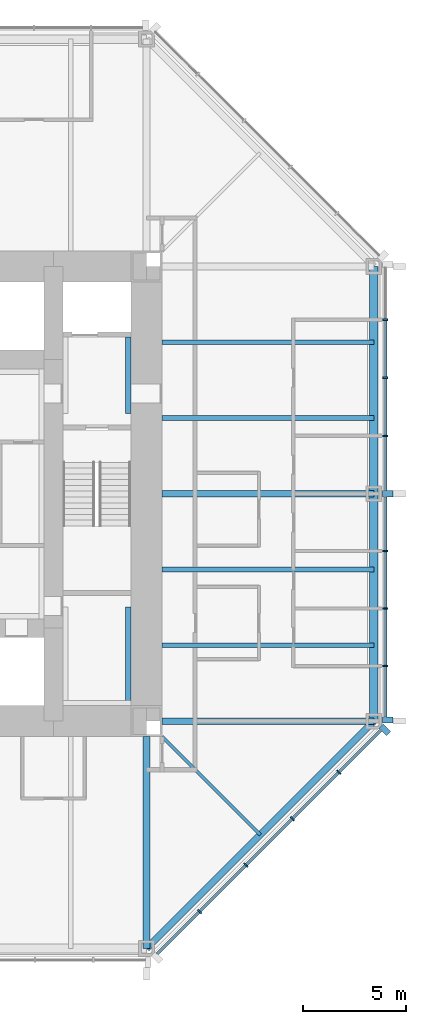
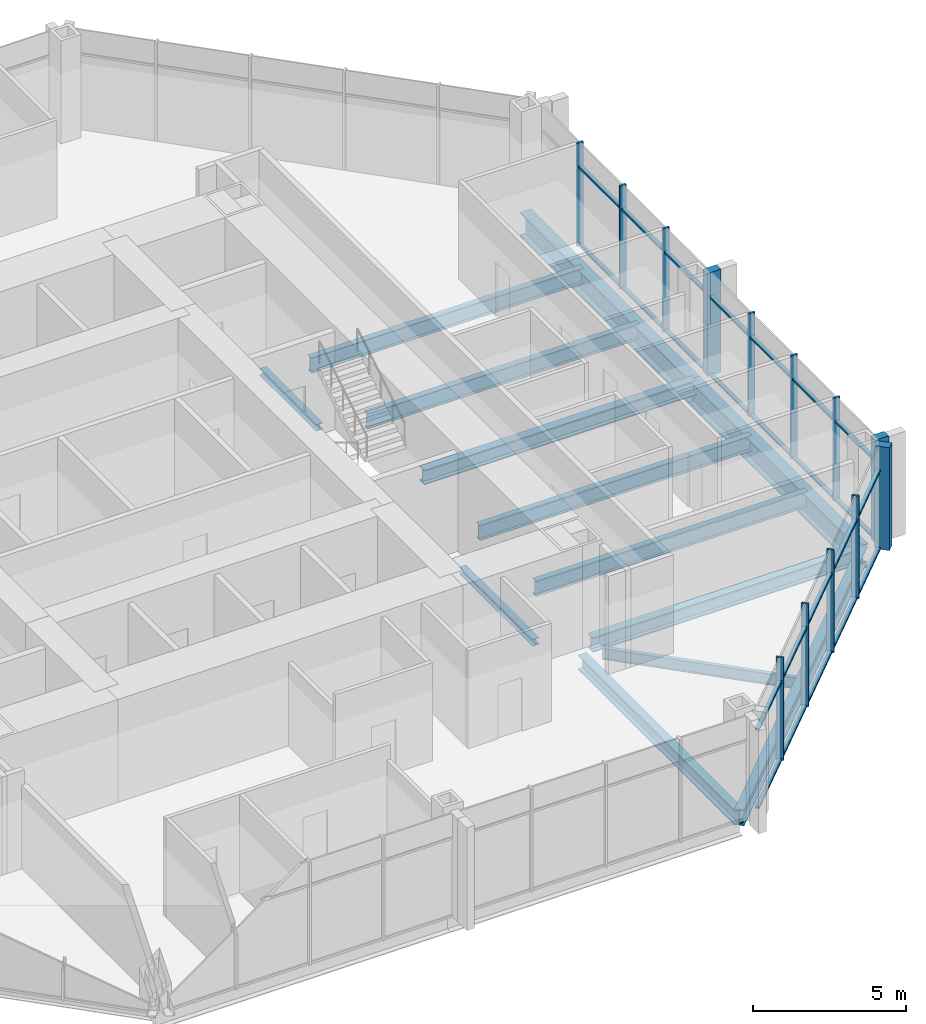
# One storey, part 4 of 12: 37 members, 13 beams, 2 elements without a shape of their own.
"""IFC4 building model written with IfcOpenShell, lengths in metres."""

from ifc_helpers import new_model, si_unit, direction, frame, origin, origin_2d, place, context, subcontext, project, spatial, rectangle, i_section, extrude, material, material_profile, profile_set, type_object, element, aggregate, save


model = new_model("IFC4")

# Units and contexts
model_context = context("Model", 3, precision=1e-05, world=origin(), true_north=direction((0.0, 1.0)))
body_context = subcontext(model_context, "Body", "Model", "MODEL_VIEW")
ifc_project = project(units=[si_unit("LENGTHUNIT", "METRE"), si_unit("AREAUNIT", "SQUARE_METRE"), si_unit("VOLUMEUNIT", "CUBIC_METRE"), si_unit("PLANEANGLEUNIT", "RADIAN"), si_unit("MASSUNIT", "GRAM", prefix="KILO")], contexts=[model_context])

# Site, building, storey
site_placement = place(None, origin())
site = spatial("IfcSite", under=ifc_project, at=site_placement, CompositionType="ELEMENT")
building_placement = place(site_placement, origin())
building = spatial("IfcBuilding", under=site, at=building_placement, Name="Trevanion Tower", CompositionType="ELEMENT")
storey_placement = place(building_placement, frame((0.0, 0.0, 121.300048828125)))
storey = spatial("IfcBuildingStorey", under=building, at=storey_placement, Name="L28", CompositionType="ELEMENT", Elevation=121.300048828125)

# Beams
ifc_material_1 = material(Name="Steel ASTM A992 Grade 50", Category="steel")
ifc_material_profile_1 = material_profile(ifc_material_1, i_section(OverallWidth=0.22900390625, OverallDepth=0.612060546875, WebThickness=0.011962890625, FlangeThickness=0.01953125, at=origin_2d()), Name="W24X84")
ifc_profile_set_1 = profile_set([ifc_material_profile_1], Name="Steel ASTM A992 Grade 50")
beam_type_1 = type_object("IfcBeamType", Name="B7 W24X84", PredefinedType="BEAM", material=ifc_profile_set_1)
for number, where, z_axis, x_axis, name in (
    (1, (11.75, -7.333251953125, -0.49609375), (1.0, 0.0, 0.0), (0.0, 1.0, 0.0), "B7 L28"),
    (2, (11.75, -3.666748046875, -0.49609375), (1.0, 0.0, 0.0), (0.0, 1.0, 0.0), "B7 L28"),
    (3, (11.75, 3.666748046875, -0.49609375), (1.0, 0.0, 0.0), (0.0, 1.0, 0.0), "B7 L28"),
    (4, (11.75, 7.333251953125, -0.49609375), (1.0, 0.0, 0.0), (0.0, 1.0, 0.0), "B7 L28"),
):
    element("IfcBeam", number, at=place(storey_placement, frame(where, z_axis=z_axis, x_axis=x_axis)), inside=storey, type_object=beam_type_1, Name=name, PredefinedType="BEAM", context=body_context, shape_type="SweptSolid", body=[
        extrude(i_section(OverallWidth=0.22900390625, OverallDepth=0.612060546875, WebThickness=0.011962890625, FlangeThickness=0.01953125, at=origin_2d()), origin(), (0.0, 0.0, 1.0), 10.25),
    ])
ifc_material_2 = material(Name="Steel ASTM A992 Grade 50", Category="steel")
ifc_material_profile_2 = material_profile(ifc_material_2, i_section(OverallWidth=0.15234375, OverallDepth=0.449462890625, WebThickness=0.007568359375, FlangeThickness=0.0107421875, at=origin_2d()), Name="W18X35")
ifc_profile_set_2 = profile_set([ifc_material_profile_2], Name="Steel ASTM A992 Grade 50")
beam_type_2 = type_object("IfcBeamType", Name="B8 W18X35", PredefinedType="BEAM", material=ifc_profile_set_2)
beam_1_placement = place(storey_placement, frame((11.75, -11.75, -0.414794921875), z_axis=(0.707106781187, -0.707106781187, 0.0), x_axis=(0.707106781187, 0.707106781187, 0.0)))
element("IfcBeam", 5, at=beam_1_placement, inside=storey, type_object=beam_type_2, Name="B8 L28", PredefinedType="BEAM", context=body_context, shape_type="SweptSolid", body=[
    extrude(i_section(OverallWidth=0.15234375, OverallDepth=0.449462890625, WebThickness=0.007568359375, FlangeThickness=0.0107421875, at=origin_2d()), origin(), (0.0, 0.0, 1.0), 6.717529296875),
])

# Curtain wall, members
ifc_material_3 = material(Name="Aluminium and glass", Category="aluminium")
curtain_wall_type = type_object("IfcCurtainWallType", Name="CW2 curtain wall", PredefinedType="USERDEFINED", material=ifc_material_3)
curtain_wall_1_placement = place(storey_placement, origin())
curtain_wall_1 = element("IfcCurtainWall", 6, at=curtain_wall_1_placement, inside=storey, type_object=curtain_wall_type, Name="CW2 L28 0", ObjectType="UNITISED CURTAIN WALL", PredefinedType="USERDEFINED")
ifc_material_4 = material(Name="Aluminium extrusion, anodised bronze", Category="aluminium")
ifc_material_profile_3 = material_profile(ifc_material_4, rectangle(XDim=0.074951171875, YDim=0.25, at=origin_2d()), Name="CW2 mullion")
ifc_profile_set_3 = profile_set([ifc_material_profile_3], Name="Aluminium extrusion, anodised bronze")
member_type_1 = type_object("IfcMemberType", Name="CW2 mullion", PredefinedType="MULLION", material=ifc_profile_set_3)
member_1_placement = place(storey_placement, frame((22.550048828125, -8.323486328125, -0.18994140625), z_axis=(0.0, 0.0, 1.0), x_axis=(0.0, 1.0, 0.0)))
member_1 = element("IfcMember", 7, at=member_1_placement, type_object=member_type_1, Name="CW2 mullion 2", PredefinedType="MULLION", context=body_context, shape_type="SweptSolid", body=[
    extrude(rectangle(XDim=0.074951171875, YDim=0.25, at=origin_2d()), origin(), (0.0, 0.0, 1.0), 4.099853515625),
])
member_2_placement = place(storey_placement, frame((22.550048828125, -5.548828125, -0.18994140625), z_axis=(0.0, 0.0, 1.0), x_axis=(0.0, 1.0, 0.0)))
member_2 = element("IfcMember", 8, at=member_2_placement, type_object=member_type_1, Name="CW2 mullion 3", PredefinedType="MULLION", context=body_context, shape_type="SweptSolid", body=[
    extrude(rectangle(XDim=0.074951171875, YDim=0.25, at=origin_2d()), origin(), (0.0, 0.0, 1.0), 4.099853515625),
])
member_3_placement = place(storey_placement, frame((22.550048828125, -2.7744140625, -0.18994140625), z_axis=(0.0, 0.0, 1.0), x_axis=(0.0, 1.0, 0.0)))
member_3 = element("IfcMember", 9, at=member_3_placement, type_object=member_type_1, Name="CW2 mullion 4", PredefinedType="MULLION", context=body_context, shape_type="SweptSolid", body=[
    extrude(rectangle(XDim=0.074951171875, YDim=0.25, at=origin_2d()), origin(), (0.0, 0.0, 1.0), 4.099853515625),
])
member_4_placement = place(storey_placement, frame((22.550048828125, 2.806884765625, -0.18994140625), z_axis=(0.0, 0.0, 1.0), x_axis=(0.0, 1.0, 0.0)))
member_4 = element("IfcMember", 10, at=member_4_placement, type_object=member_type_1, Name="CW2 mullion 6", PredefinedType="MULLION", context=body_context, shape_type="SweptSolid", body=[
    extrude(rectangle(XDim=0.074951171875, YDim=0.25, at=origin_2d()), origin(), (0.0, 0.0, 1.0), 4.099853515625),
])
member_5_placement = place(storey_placement, frame((22.550048828125, 5.614013671875, -0.18994140625), z_axis=(0.0, 0.0, 1.0), x_axis=(0.0, 1.0, 0.0)))
member_5 = element("IfcMember", 11, at=member_5_placement, type_object=member_type_1, Name="CW2 mullion 7", PredefinedType="MULLION", context=body_context, shape_type="SweptSolid", body=[
    extrude(rectangle(XDim=0.074951171875, YDim=0.25, at=origin_2d()), origin(), (0.0, 0.0, 1.0), 4.099853515625),
])
member_6_placement = place(storey_placement, frame((22.550048828125, 8.4208984375, -0.18994140625), z_axis=(0.0, 0.0, 1.0), x_axis=(0.0, 1.0, 0.0)))
member_6 = element("IfcMember", 12, at=member_6_placement, type_object=member_type_1, Name="CW2 mullion 8", PredefinedType="MULLION", context=body_context, shape_type="SweptSolid", body=[
    extrude(rectangle(XDim=0.074951171875, YDim=0.25, at=origin_2d()), origin(), (0.0, 0.0, 1.0), 4.099853515625),
])

curtain_wall_2_placement = place(storey_placement, origin())
curtain_wall_2 = element("IfcCurtainWall", 13, at=curtain_wall_2_placement, inside=storey, type_object=curtain_wall_type, Name="CW2 L28 7", ObjectType="UNITISED CURTAIN WALL", PredefinedType="USERDEFINED")
member_7_placement = place(storey_placement, frame((13.56591796875, -20.2119140625, -0.18994140625), z_axis=(0.0, 0.0, 1.0), x_axis=(0.707106781187, 0.707106781187, 0.0)))
member_7 = element("IfcMember", 14, at=member_7_placement, type_object=member_type_1, Name="CW2 mullion 2", PredefinedType="MULLION", context=body_context, shape_type="SweptSolid", body=[
    extrude(rectangle(XDim=0.074951171875, YDim=0.25, at=origin_2d()), origin(), (0.0, 0.0, 1.0), 4.099853515625),
])
member_8_placement = place(storey_placement, frame((15.811767578125, -17.966064453125, -0.18994140625), z_axis=(0.0, 0.0, 1.0), x_axis=(0.707106781187, 0.707106781187, 0.0)))
member_8 = element("IfcMember", 15, at=member_8_placement, type_object=member_type_1, Name="CW2 mullion 3", PredefinedType="MULLION", context=body_context, shape_type="SweptSolid", body=[
    extrude(rectangle(XDim=0.074951171875, YDim=0.25, at=origin_2d()), origin(), (0.0, 0.0, 1.0), 4.099853515625),
])
member_9_placement = place(storey_placement, frame((18.057861328125, -15.719970703125, -0.18994140625), z_axis=(0.0, 0.0, 1.0), x_axis=(0.707106781187, 0.707106781187, 0.0)))
member_9 = element("IfcMember", 16, at=member_9_placement, type_object=member_type_1, Name="CW2 mullion 4", PredefinedType="MULLION", context=body_context, shape_type="SweptSolid", body=[
    extrude(rectangle(XDim=0.074951171875, YDim=0.25, at=origin_2d()), origin(), (0.0, 0.0, 1.0), 4.099853515625),
])
member_10_placement = place(storey_placement, frame((20.303955078125, -13.473876953125, -0.18994140625), z_axis=(0.0, 0.0, 1.0), x_axis=(0.707106781187, 0.707106781187, 0.0)))
member_10 = element("IfcMember", 17, at=member_10_placement, type_object=member_type_1, Name="CW2 mullion 5", PredefinedType="MULLION", context=body_context, shape_type="SweptSolid", body=[
    extrude(rectangle(XDim=0.074951171875, YDim=0.25, at=origin_2d()), origin(), (0.0, 0.0, 1.0), 4.099853515625),
])

# Member
ifc_material_5 = material(Name="Aluminium extrusion, anodised bronze", Category="aluminium")
ifc_material_profile_4 = material_profile(ifc_material_5, rectangle(XDim=0.300048828125, YDim=0.5, at=origin_2d()), Name="CW2 pier mullion")
ifc_profile_set_4 = profile_set([ifc_material_profile_4], Name="Aluminium extrusion, anodised bronze")
member_type_2 = type_object("IfcMemberType", Name="CW2 pier mullion", PredefinedType="MULLION", material=ifc_profile_set_4)
member_11_placement = place(storey_placement, frame((22.675048828125, -10.94775390625, -0.18994140625), z_axis=(0.0, 0.0, 1.0), x_axis=(0.0, 1.0, 0.0)))
member_11 = element("IfcMember", 18, at=member_11_placement, type_object=member_type_2, Name="CW2 pier mullion 1", PredefinedType="MULLION", context=body_context, shape_type="SweptSolid", body=[
    extrude(rectangle(XDim=0.300048828125, YDim=0.5, at=origin_2d()), origin(), (0.0, 0.0, 1.0), 4.099853515625),
])

member_12_placement = place(storey_placement, frame((22.675048828125, 0.0, -0.18994140625), z_axis=(0.0, 0.0, 1.0), x_axis=(0.0, 1.0, 0.0)))
member_12 = element("IfcMember", 19, at=member_12_placement, type_object=member_type_2, Name="CW2 pier mullion 5", PredefinedType="MULLION", context=body_context, shape_type="SweptSolid", body=[
    extrude(rectangle(XDim=0.300048828125, YDim=0.5, at=origin_2d()), origin(), (0.0, 0.0, 1.0), 4.099853515625),
])

member_13_placement = place(storey_placement, frame((22.5322265625, -11.42236328125, -0.18994140625), z_axis=(0.0, 0.0, 1.0), x_axis=(0.707106781187, 0.707106781187, 0.0)))
member_13 = element("IfcMember", 20, at=member_13_placement, type_object=member_type_2, Name="CW2 pier mullion 6", PredefinedType="MULLION", context=body_context, shape_type="SweptSolid", body=[
    extrude(rectangle(XDim=0.300048828125, YDim=0.5, at=origin_2d()), origin(), (0.0, 0.0, 1.0), 4.099853515625),
])

ifc_material_6 = material(Name="Aluminium extrusion, anodised bronze", Category="aluminium")
ifc_material_profile_5 = material_profile(ifc_material_6, rectangle(XDim=0.14990234375, YDim=0.074951171875, at=origin_2d()), Name="CW2 transom")
ifc_profile_set_5 = profile_set([ifc_material_profile_5], Name="Aluminium extrusion, anodised bronze")
member_type_3 = type_object("IfcMemberType", Name="CW2 transom", PredefinedType="USERDEFINED", material=ifc_profile_set_5)
member_14_placement = place(storey_placement, frame((22.550048828125, -10.7978515625, -0.152587890625), z_axis=(0.0, 1.0, 0.0), x_axis=(-1.0, 0.0, 0.0)))
member_14 = element("IfcMember", 21, at=member_14_placement, type_object=member_type_3, Name="CW2 transom 1.1", ObjectType="TRANSOM", PredefinedType="USERDEFINED", context=body_context, shape_type="SweptSolid", body=[
    extrude(rectangle(XDim=0.14990234375, YDim=0.074951171875, at=origin_2d()), origin(), (0.0, 0.0, 1.0), 2.43701171875),
])

member_15_placement = place(storey_placement, frame((22.550048828125, -10.7978515625, 2.9599609375), z_axis=(0.0, 1.0, 0.0), x_axis=(-1.0, 0.0, 0.0)))
member_15 = element("IfcMember", 22, at=member_15_placement, type_object=member_type_3, Name="CW2 transom 1.2", ObjectType="TRANSOM", PredefinedType="USERDEFINED", context=body_context, shape_type="SweptSolid", body=[
    extrude(rectangle(XDim=0.14990234375, YDim=0.074951171875, at=origin_2d()), origin(), (0.0, 0.0, 1.0), 2.43701171875),
])

member_16_placement = place(storey_placement, frame((22.550048828125, -8.285888671875, -0.152587890625), z_axis=(0.0, 1.0, 0.0), x_axis=(-1.0, 0.0, 0.0)))
member_16 = element("IfcMember", 23, at=member_16_placement, type_object=member_type_3, Name="CW2 transom 2.1", ObjectType="TRANSOM", PredefinedType="USERDEFINED", context=body_context, shape_type="SweptSolid", body=[
    extrude(rectangle(XDim=0.14990234375, YDim=0.074951171875, at=origin_2d()), origin(), (0.0, 0.0, 1.0), 2.699462890625),
])

member_17_placement = place(storey_placement, frame((22.550048828125, -8.285888671875, 2.9599609375), z_axis=(0.0, 1.0, 0.0), x_axis=(-1.0, 0.0, 0.0)))
member_17 = element("IfcMember", 24, at=member_17_placement, type_object=member_type_3, Name="CW2 transom 2.2", ObjectType="TRANSOM", PredefinedType="USERDEFINED", context=body_context, shape_type="SweptSolid", body=[
    extrude(rectangle(XDim=0.14990234375, YDim=0.074951171875, at=origin_2d()), origin(), (0.0, 0.0, 1.0), 2.699462890625),
])

member_18_placement = place(storey_placement, frame((22.550048828125, -5.511474609375, -0.152587890625), z_axis=(0.0, 1.0, 0.0), x_axis=(-1.0, 0.0, 0.0)))
member_18 = element("IfcMember", 25, at=member_18_placement, type_object=member_type_3, Name="CW2 transom 3.1", ObjectType="TRANSOM", PredefinedType="USERDEFINED", context=body_context, shape_type="SweptSolid", body=[
    extrude(rectangle(XDim=0.14990234375, YDim=0.074951171875, at=origin_2d()), origin(), (0.0, 0.0, 1.0), 2.699462890625),
])

member_19_placement = place(storey_placement, frame((22.550048828125, -5.511474609375, 2.9599609375), z_axis=(0.0, 1.0, 0.0), x_axis=(-1.0, 0.0, 0.0)))
member_19 = element("IfcMember", 26, at=member_19_placement, type_object=member_type_3, Name="CW2 transom 3.2", ObjectType="TRANSOM", PredefinedType="USERDEFINED", context=body_context, shape_type="SweptSolid", body=[
    extrude(rectangle(XDim=0.14990234375, YDim=0.074951171875, at=origin_2d()), origin(), (0.0, 0.0, 1.0), 2.699462890625),
])

member_20_placement = place(storey_placement, frame((22.550048828125, -2.737060546875, -0.152587890625), z_axis=(0.0, 1.0, 0.0), x_axis=(-1.0, 0.0, 0.0)))
member_20 = element("IfcMember", 27, at=member_20_placement, type_object=member_type_3, Name="CW2 transom 4.1", ObjectType="TRANSOM", PredefinedType="USERDEFINED", context=body_context, shape_type="SweptSolid", body=[
    extrude(rectangle(XDim=0.14990234375, YDim=0.074951171875, at=origin_2d()), origin(), (0.0, 0.0, 1.0), 2.587158203125),
])

member_21_placement = place(storey_placement, frame((22.550048828125, -2.737060546875, 2.9599609375), z_axis=(0.0, 1.0, 0.0), x_axis=(-1.0, 0.0, 0.0)))
member_21 = element("IfcMember", 28, at=member_21_placement, type_object=member_type_3, Name="CW2 transom 4.2", ObjectType="TRANSOM", PredefinedType="USERDEFINED", context=body_context, shape_type="SweptSolid", body=[
    extrude(rectangle(XDim=0.14990234375, YDim=0.074951171875, at=origin_2d()), origin(), (0.0, 0.0, 1.0), 2.587158203125),
])

member_22_placement = place(storey_placement, frame((22.550048828125, 0.14990234375, -0.152587890625), z_axis=(0.0, 1.0, 0.0), x_axis=(-1.0, 0.0, 0.0)))
member_22 = element("IfcMember", 29, at=member_22_placement, type_object=member_type_3, Name="CW2 transom 5.1", ObjectType="TRANSOM", PredefinedType="USERDEFINED", context=body_context, shape_type="SweptSolid", body=[
    extrude(rectangle(XDim=0.14990234375, YDim=0.074951171875, at=origin_2d()), origin(), (0.0, 0.0, 1.0), 2.619384765625),
])

member_23_placement = place(storey_placement, frame((22.550048828125, 0.14990234375, 2.9599609375), z_axis=(0.0, 1.0, 0.0), x_axis=(-1.0, 0.0, 0.0)))
member_23 = element("IfcMember", 30, at=member_23_placement, type_object=member_type_3, Name="CW2 transom 5.2", ObjectType="TRANSOM", PredefinedType="USERDEFINED", context=body_context, shape_type="SweptSolid", body=[
    extrude(rectangle(XDim=0.14990234375, YDim=0.074951171875, at=origin_2d()), origin(), (0.0, 0.0, 1.0), 2.619384765625),
])

member_24_placement = place(storey_placement, frame((22.550048828125, 2.844482421875, -0.152587890625), z_axis=(0.0, 1.0, 0.0), x_axis=(-1.0, 0.0, 0.0)))
member_24 = element("IfcMember", 31, at=member_24_placement, type_object=member_type_3, Name="CW2 transom 6.1", ObjectType="TRANSOM", PredefinedType="USERDEFINED", context=body_context, shape_type="SweptSolid", body=[
    extrude(rectangle(XDim=0.14990234375, YDim=0.074951171875, at=origin_2d()), origin(), (0.0, 0.0, 1.0), 2.73193359375),
])

member_25_placement = place(storey_placement, frame((22.550048828125, 2.844482421875, 2.9599609375), z_axis=(0.0, 1.0, 0.0), x_axis=(-1.0, 0.0, 0.0)))
member_25 = element("IfcMember", 32, at=member_25_placement, type_object=member_type_3, Name="CW2 transom 6.2", ObjectType="TRANSOM", PredefinedType="USERDEFINED", context=body_context, shape_type="SweptSolid", body=[
    extrude(rectangle(XDim=0.14990234375, YDim=0.074951171875, at=origin_2d()), origin(), (0.0, 0.0, 1.0), 2.73193359375),
])

member_26_placement = place(storey_placement, frame((22.550048828125, 5.6513671875, -0.152587890625), z_axis=(0.0, 1.0, 0.0), x_axis=(-1.0, 0.0, 0.0)))
member_26 = element("IfcMember", 33, at=member_26_placement, type_object=member_type_3, Name="CW2 transom 7.1", ObjectType="TRANSOM", PredefinedType="USERDEFINED", context=body_context, shape_type="SweptSolid", body=[
    extrude(rectangle(XDim=0.14990234375, YDim=0.074951171875, at=origin_2d()), origin(), (0.0, 0.0, 1.0), 2.73193359375),
])

member_27_placement = place(storey_placement, frame((22.550048828125, 5.6513671875, 2.9599609375), z_axis=(0.0, 1.0, 0.0), x_axis=(-1.0, 0.0, 0.0)))
member_27 = element("IfcMember", 34, at=member_27_placement, type_object=member_type_3, Name="CW2 transom 7.2", ObjectType="TRANSOM", PredefinedType="USERDEFINED", context=body_context, shape_type="SweptSolid", body=[
    extrude(rectangle(XDim=0.14990234375, YDim=0.074951171875, at=origin_2d()), origin(), (0.0, 0.0, 1.0), 2.73193359375),
])

aggregate(curtain_wall_1, [member_11, member_1, member_2, member_3, member_12, member_4, member_5, member_6, member_14, member_15, member_16, member_17, member_18, member_19, member_20, member_21, member_22, member_23, member_24, member_25, member_26, member_27])

member_28_placement = place(storey_placement, frame((11.531982421875, -22.245849609375, -0.152587890625), z_axis=(0.707106781187, 0.707106781187, 0.0), x_axis=(-0.707106781187, 0.707106781187, 0.0)))
member_28 = element("IfcMember", 35, at=member_28_placement, type_object=member_type_3, Name="CW2 transom 1.1", ObjectType="TRANSOM", PredefinedType="USERDEFINED", context=body_context, shape_type="SweptSolid", body=[
    extrude(rectangle(XDim=0.14990234375, YDim=0.074951171875, at=origin_2d()), origin(), (0.0, 0.0, 1.0), 2.8388671875),
])

member_29_placement = place(storey_placement, frame((11.531982421875, -22.245849609375, 2.9599609375), z_axis=(0.707106781187, 0.707106781187, 0.0), x_axis=(-0.707106781187, 0.707106781187, 0.0)))
member_29 = element("IfcMember", 36, at=member_29_placement, type_object=member_type_3, Name="CW2 transom 1.2", ObjectType="TRANSOM", PredefinedType="USERDEFINED", context=body_context, shape_type="SweptSolid", body=[
    extrude(rectangle(XDim=0.14990234375, YDim=0.074951171875, at=origin_2d()), origin(), (0.0, 0.0, 1.0), 2.8388671875),
])

member_30_placement = place(storey_placement, frame((13.59228515625, -20.185546875, -0.152587890625), z_axis=(0.707106781187, 0.707106781187, 0.0), x_axis=(-0.707106781187, 0.707106781187, 0.0)))
member_30 = element("IfcMember", 37, at=member_30_placement, type_object=member_type_3, Name="CW2 transom 2.1", ObjectType="TRANSOM", PredefinedType="USERDEFINED", context=body_context, shape_type="SweptSolid", body=[
    extrude(rectangle(XDim=0.14990234375, YDim=0.074951171875, at=origin_2d()), origin(), (0.0, 0.0, 1.0), 3.1015625),
])

member_31_placement = place(storey_placement, frame((13.59228515625, -20.185546875, 2.9599609375), z_axis=(0.707106781187, 0.707106781187, 0.0), x_axis=(-0.707106781187, 0.707106781187, 0.0)))
member_31 = element("IfcMember", 38, at=member_31_placement, type_object=member_type_3, Name="CW2 transom 2.2", ObjectType="TRANSOM", PredefinedType="USERDEFINED", context=body_context, shape_type="SweptSolid", body=[
    extrude(rectangle(XDim=0.14990234375, YDim=0.074951171875, at=origin_2d()), origin(), (0.0, 0.0, 1.0), 3.1015625),
])

member_32_placement = place(storey_placement, frame((15.83837890625, -17.939453125, -0.152587890625), z_axis=(0.707106781187, 0.707106781187, 0.0), x_axis=(-0.707106781187, 0.707106781187, 0.0)))
member_32 = element("IfcMember", 39, at=member_32_placement, type_object=member_type_3, Name="CW2 transom 3.1", ObjectType="TRANSOM", PredefinedType="USERDEFINED", context=body_context, shape_type="SweptSolid", body=[
    extrude(rectangle(XDim=0.14990234375, YDim=0.074951171875, at=origin_2d()), origin(), (0.0, 0.0, 1.0), 3.1015625),
])

member_33_placement = place(storey_placement, frame((15.83837890625, -17.939453125, 2.9599609375), z_axis=(0.707106781187, 0.707106781187, 0.0), x_axis=(-0.707106781187, 0.707106781187, 0.0)))
member_33 = element("IfcMember", 40, at=member_33_placement, type_object=member_type_3, Name="CW2 transom 3.2", ObjectType="TRANSOM", PredefinedType="USERDEFINED", context=body_context, shape_type="SweptSolid", body=[
    extrude(rectangle(XDim=0.14990234375, YDim=0.074951171875, at=origin_2d()), origin(), (0.0, 0.0, 1.0), 3.1015625),
])

member_34_placement = place(storey_placement, frame((18.08447265625, -15.693359375, -0.152587890625), z_axis=(0.707106781187, 0.707106781187, 0.0), x_axis=(-0.707106781187, 0.707106781187, 0.0)))
member_34 = element("IfcMember", 41, at=member_34_placement, type_object=member_type_3, Name="CW2 transom 4.1", ObjectType="TRANSOM", PredefinedType="USERDEFINED", context=body_context, shape_type="SweptSolid", body=[
    extrude(rectangle(XDim=0.14990234375, YDim=0.074951171875, at=origin_2d()), origin(), (0.0, 0.0, 1.0), 3.10107421875),
])

member_35_placement = place(storey_placement, frame((18.08447265625, -15.693359375, 2.9599609375), z_axis=(0.707106781187, 0.707106781187, 0.0), x_axis=(-0.707106781187, 0.707106781187, 0.0)))
member_35 = element("IfcMember", 42, at=member_35_placement, type_object=member_type_3, Name="CW2 transom 4.2", ObjectType="TRANSOM", PredefinedType="USERDEFINED", context=body_context, shape_type="SweptSolid", body=[
    extrude(rectangle(XDim=0.14990234375, YDim=0.074951171875, at=origin_2d()), origin(), (0.0, 0.0, 1.0), 3.10107421875),
])

member_36_placement = place(storey_placement, frame((20.33056640625, -13.447509765625, -0.152587890625), z_axis=(0.707063781595, 0.707149778163, 0.0), x_axis=(-0.707149778163, 0.707063781595, 0.0)))
member_36 = element("IfcMember", 43, at=member_36_placement, type_object=member_type_3, Name="CW2 transom 5.1", ObjectType="TRANSOM", PredefinedType="USERDEFINED", context=body_context, shape_type="SweptSolid", body=[
    extrude(rectangle(XDim=0.14990234375, YDim=0.074951171875, at=origin_2d()), origin(), (0.0, 0.0, 1.0), 2.8388671875),
])

member_37_placement = place(storey_placement, frame((20.33056640625, -13.447509765625, 2.9599609375), z_axis=(0.707063781595, 0.707149778163, 0.0), x_axis=(-0.707149778163, 0.707063781595, 0.0)))
member_37 = element("IfcMember", 44, at=member_37_placement, type_object=member_type_3, Name="CW2 transom 5.2", ObjectType="TRANSOM", PredefinedType="USERDEFINED", context=body_context, shape_type="SweptSolid", body=[
    extrude(rectangle(XDim=0.14990234375, YDim=0.074951171875, at=origin_2d()), origin(), (0.0, 0.0, 1.0), 2.8388671875),
])

aggregate(curtain_wall_2, [member_7, member_8, member_9, member_10, member_13, member_28, member_29, member_30, member_31, member_32, member_33, member_34, member_35, member_36, member_37])

# Beams
ifc_material_7 = material(Name="Steel ASTM A992 Grade 50", Category="steel")
ifc_material_profile_6 = material_profile(ifc_material_7, i_section(OverallWidth=0.320068359375, OverallDepth=0.584228515625, WebThickness=0.023193359375, FlangeThickness=0.04150390625, at=origin_2d()), Name="W21X201")
ifc_profile_set_6 = profile_set([ifc_material_profile_6], Name="Steel ASTM A992 Grade 50")
beam_type_3 = type_object("IfcBeamType", Name="G4 W21X201", PredefinedType="BEAM", material=ifc_profile_set_6)
for number, where, z_axis, x_axis, name in (
    (45, (11.75, -11.0, -0.482177734375), (1.0, 0.0, 0.0), (0.0, 1.0, 0.0), "G4 L28"),
    (46, (11.75, 0.0, -0.482177734375), (1.0, 0.0, 0.0), (0.0, 1.0, 0.0), "G4 L28"),
    (47, (11.0, -11.75, -0.482177734375), (0.0, -1.0, 0.0), (1.0, 0.0, 0.0), "G4 L28"),
):
    element("IfcBeam", number, at=place(storey_placement, frame(where, z_axis=z_axis, x_axis=x_axis)), inside=storey, type_object=beam_type_3, Name=name, PredefinedType="BEAM", context=body_context, shape_type="SweptSolid", body=[
        extrude(i_section(OverallWidth=0.320068359375, OverallDepth=0.584228515625, WebThickness=0.023193359375, FlangeThickness=0.04150390625, at=origin_2d()), origin(), (0.0, 0.0, 1.0), 10.25),
    ])
ifc_material_8 = material(Name="Steel ASTM A992 Grade 50", Category="steel")
ifc_material_profile_7 = material_profile(ifc_material_8, i_section(OverallWidth=0.256591796875, OverallDepth=0.26416015625, WebThickness=0.011962890625, FlangeThickness=0.01953125, at=origin_2d()), Name="W10X68")
ifc_profile_set_7 = profile_set([ifc_material_profile_7], Name="Steel ASTM A992 Grade 50")
beam_type_4 = type_object("IfcBeamType", Name="LB1 W10X68", PredefinedType="BEAM", material=ifc_profile_set_7)
beam_2_placement = place(storey_placement, frame((10.12158203125, 3.875, -0.33203125), z_axis=(0.0, 1.0, 0.0), x_axis=(-1.0, 0.0, 0.0)))
element("IfcBeam", 48, at=beam_2_placement, inside=storey, type_object=beam_type_4, Name="LB1 L28", PredefinedType="BEAM", context=body_context, shape_type="SweptSolid", body=[
    extrude(i_section(OverallWidth=0.256591796875, OverallDepth=0.26416015625, WebThickness=0.011962890625, FlangeThickness=0.01953125, at=origin_2d()), origin(), (0.0, 0.0, 1.0), 3.699951171875),
])
beam_3_placement = place(storey_placement, frame((10.12158203125, -10.25, -0.33203125), z_axis=(0.0, 1.0, 0.0), x_axis=(-1.0, 0.0, 0.0)))
element("IfcBeam", 49, at=beam_3_placement, inside=storey, type_object=beam_type_4, Name="LB1 L28", PredefinedType="BEAM", context=body_context, shape_type="SweptSolid", body=[
    extrude(i_section(OverallWidth=0.256591796875, OverallDepth=0.26416015625, WebThickness=0.011962890625, FlangeThickness=0.01953125, at=origin_2d()), origin(), (0.0, 0.0, 1.0), 4.77490234375),
])
ifc_material_9 = material(Name="Steel ASTM A992 Grade 50", Category="steel")
ifc_material_profile_8 = material_profile(ifc_material_9, i_section(OverallWidth=0.419189453125, OverallDepth=0.927001953125, WebThickness=0.019287109375, FlangeThickness=0.031982421875, at=origin_2d()), Name="W36X231")
ifc_profile_set_8 = profile_set([ifc_material_profile_8], Name="Steel ASTM A992 Grade 50")
beam_type_5 = type_object("IfcBeamType", Name="SB4 W36X231", PredefinedType="SPANDREL", material=ifc_profile_set_8)
for number, where, z_axis, x_axis, name in (
    (50, (22.0, -11.0, -0.653564453125), (0.0, 1.0, 0.0), (-1.0, 0.0, 0.0), "SB4 L28"),
    (51, (22.0, 0.0, -0.653564453125), (0.0, 1.0, 0.0), (-1.0, 0.0, 0.0), "SB4 L28"),
):
    element("IfcBeam", number, at=place(storey_placement, frame(where, z_axis=z_axis, x_axis=x_axis)), inside=storey, type_object=beam_type_5, Name=name, PredefinedType="SPANDREL", context=body_context, shape_type="SweptSolid", body=[
        extrude(i_section(OverallWidth=0.419189453125, OverallDepth=0.927001953125, WebThickness=0.019287109375, FlangeThickness=0.031982421875, at=origin_2d()), origin(), (0.0, 0.0, 1.0), 11.0),
    ])
ifc_material_10 = material(Name="Steel ASTM A992 Grade 50", Category="steel")
ifc_material_profile_9 = material_profile(ifc_material_10, i_section(OverallWidth=0.32763671875, OverallDepth=0.62744140625, WebThickness=0.0166015625, FlangeThickness=0.027587890625, at=origin_2d()), Name="W24X146")
ifc_profile_set_9 = profile_set([ifc_material_profile_9], Name="Steel ASTM A992 Grade 50")
beam_type_6 = type_object("IfcBeamType", Name="SB5 W24X146", PredefinedType="SPANDREL", material=ifc_profile_set_9)
beam_4_placement = place(storey_placement, frame((11.0, -22.0, -0.503662109375), z_axis=(0.707106781187, 0.707106781187, 0.0), x_axis=(-0.707106781187, 0.707106781187, 0.0)))
element("IfcBeam", 52, at=beam_4_placement, inside=storey, type_object=beam_type_6, Name="SB5 L28", PredefinedType="SPANDREL", context=body_context, shape_type="SweptSolid", body=[
    extrude(i_section(OverallWidth=0.32763671875, OverallDepth=0.62744140625, WebThickness=0.0166015625, FlangeThickness=0.027587890625, at=origin_2d()), origin(), (0.0, 0.0, 1.0), 15.556396484375),
])

save(model, "model.ifc")
